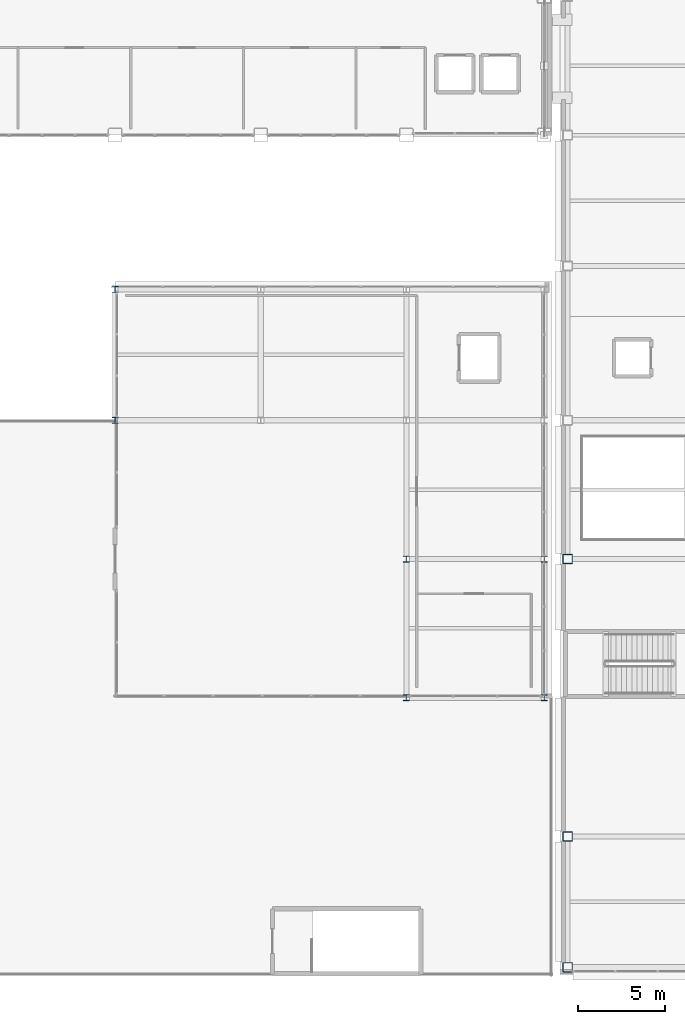
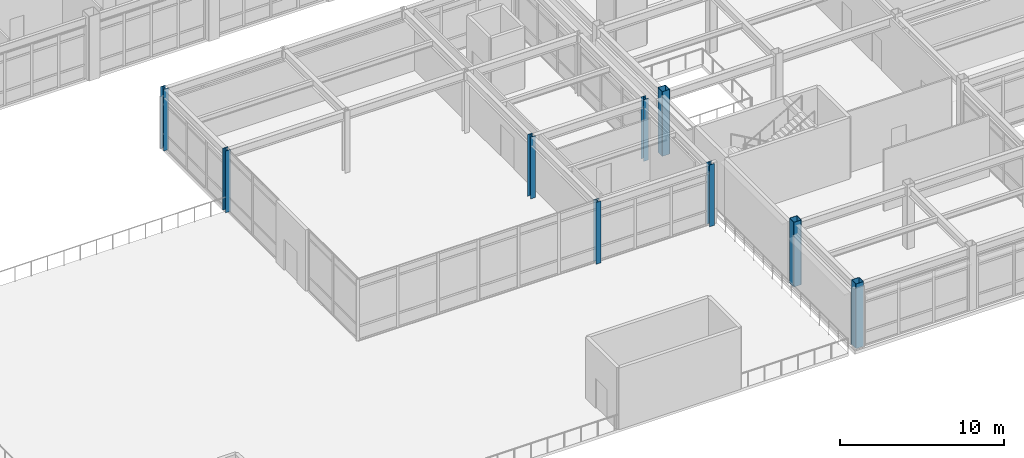
# One storey, part 1 of 154: 9 columns.
"""IFC4 building model written with IfcOpenShell, lengths in metres."""

from ifc_helpers import new_model, si_unit, direction, frame, origin, origin_2d, place, context, subcontext, project, spatial, hollow_rectangle, i_section, extrude, material, material_profile, profile_set, type_object, element, save


model = new_model("IFC4")

# Units and contexts
model_context = context("Model", 3, precision=1e-05, world=origin(), true_north=direction((0.0, 1.0)))
body_context = subcontext(model_context, "Body", "Model", "MODEL_VIEW")
ifc_project = project(units=[si_unit("LENGTHUNIT", "METRE"), si_unit("AREAUNIT", "SQUARE_METRE"), si_unit("VOLUMEUNIT", "CUBIC_METRE"), si_unit("PLANEANGLEUNIT", "RADIAN"), si_unit("MASSUNIT", "GRAM", prefix="KILO")], contexts=[model_context])

# Site, building, storey
site_placement = place(None, origin())
site = spatial("IfcSite", under=ifc_project, at=site_placement, CompositionType="ELEMENT")
building_placement = place(site_placement, origin())
building = spatial("IfcBuilding", under=site, at=building_placement, Name="Kazehara Bluff Congress Hotel", CompositionType="ELEMENT")
storey_placement = place(building_placement, frame((0.0, 0.0, 10.199951171875)))
storey = spatial("IfcBuildingStorey", under=building, at=storey_placement, Name="L02", CompositionType="ELEMENT", Elevation=10.199951171875)

# Columns
ifc_material_1 = material(Name="Steel BCR295", Category="steel")
ifc_material_profile_1 = material_profile(ifc_material_1, hollow_rectangle(XDim=0.550048828125, YDim=0.550048828125, WallThickness=0.02197265625, InnerFilletRadius=0.02197265625, OuterFilletRadius=0.0439453125, at=origin_2d()))
ifc_profile_set_1 = profile_set([ifc_material_profile_1], Name="Steel BCR295")
column_type_1 = type_object("IfcColumnType", Name="TP-C-06", PredefinedType="COLUMN", material=ifc_profile_set_1)
for number, where, z_axis, x_axis, name in (
    (1, (59.699951171875, 0.449951171875, 0.0), (0.0, 0.0, 1.0), (1.0, 0.0, 0.0), "L02 column C-06 (59.70,0.45)"),
    (2, (59.699951171875, 8.0, 0.0), (0.0, 0.0, 1.0), (1.0, 0.0, 0.0), "L02 column C-06 (59.70,8.00)"),
    (3, (59.699951171875, 24.0, 0.0), (0.0, 0.0, 1.0), (1.0, 0.0, 0.0), "L02 column C-06 (59.70,24.00)"),
):
    element("IfcColumn", number, at=place(storey_placement, frame(where, z_axis=z_axis, x_axis=x_axis)), inside=storey, type_object=column_type_1, Name=name, PredefinedType="COLUMN", context=body_context, shape_type="SweptSolid", body=[
        extrude(hollow_rectangle(XDim=0.550048828125, YDim=0.550048828125, WallThickness=0.02197265625, InnerFilletRadius=0.02197265625, OuterFilletRadius=0.0439453125, at=origin_2d()), origin(), (0.0, 0.0, 1.0), 4.800048828125),
    ])
ifc_material_2 = material(Name="Steel SN490B", Category="steel")
ifc_material_profile_2 = material_profile(ifc_material_2, i_section(OverallWidth=0.35009765625, OverallDepth=0.35009765625, WebThickness=0.011962890625, FlangeThickness=0.01904296875, FilletRadius=0.012939453125, at=origin_2d()))
ifc_profile_set_2 = profile_set([ifc_material_profile_2], Name="Steel SN490B")
column_type_2 = type_object("IfcColumnType", Name="TP-C-10", PredefinedType="COLUMN", material=ifc_profile_set_2)
for number, where, z_axis, x_axis, name in (
    (4, (33.60009765625, 32.0, 0.0), (0.0, 0.0, 1.0), (1.0, 0.0, 0.0), "L02 column C-10 (33.60,32.00)"),
    (5, (33.60009765625, 39.550048828125, 0.0), (0.0, 0.0, 1.0), (1.0, 0.0, 0.0), "L02 column C-10 (33.60,39.55)"),
    (6, (50.39990234375, 16.0, 0.0), (0.0, 0.0, 1.0), (1.0, 0.0, 0.0), "L02 column C-10 (50.40,16.00)"),
    (7, (50.39990234375, 24.0, 0.0), (0.0, 0.0, 1.0), (1.0, 0.0, 0.0), "L02 column C-10 (50.40,24.00)"),
    (8, (58.35009765625, 16.0, 0.0), (0.0, 0.0, 1.0), (1.0, 0.0, 0.0), "L02 column C-10 (58.35,16.00)"),
    (9, (58.35009765625, 24.0, 0.0), (0.0, 0.0, 1.0), (1.0, 0.0, 0.0), "L02 column C-10 (58.35,24.00)"),
):
    element("IfcColumn", number, at=place(storey_placement, frame(where, z_axis=z_axis, x_axis=x_axis)), inside=storey, type_object=column_type_2, Name=name, PredefinedType="COLUMN", context=body_context, shape_type="SweptSolid", body=[
        extrude(i_section(OverallWidth=0.35009765625, OverallDepth=0.35009765625, WebThickness=0.011962890625, FlangeThickness=0.01904296875, FilletRadius=0.012939453125, at=origin_2d()), origin(), (0.0, 0.0, 1.0), 4.590087890625),
    ])

save(model, "model.ifc")
